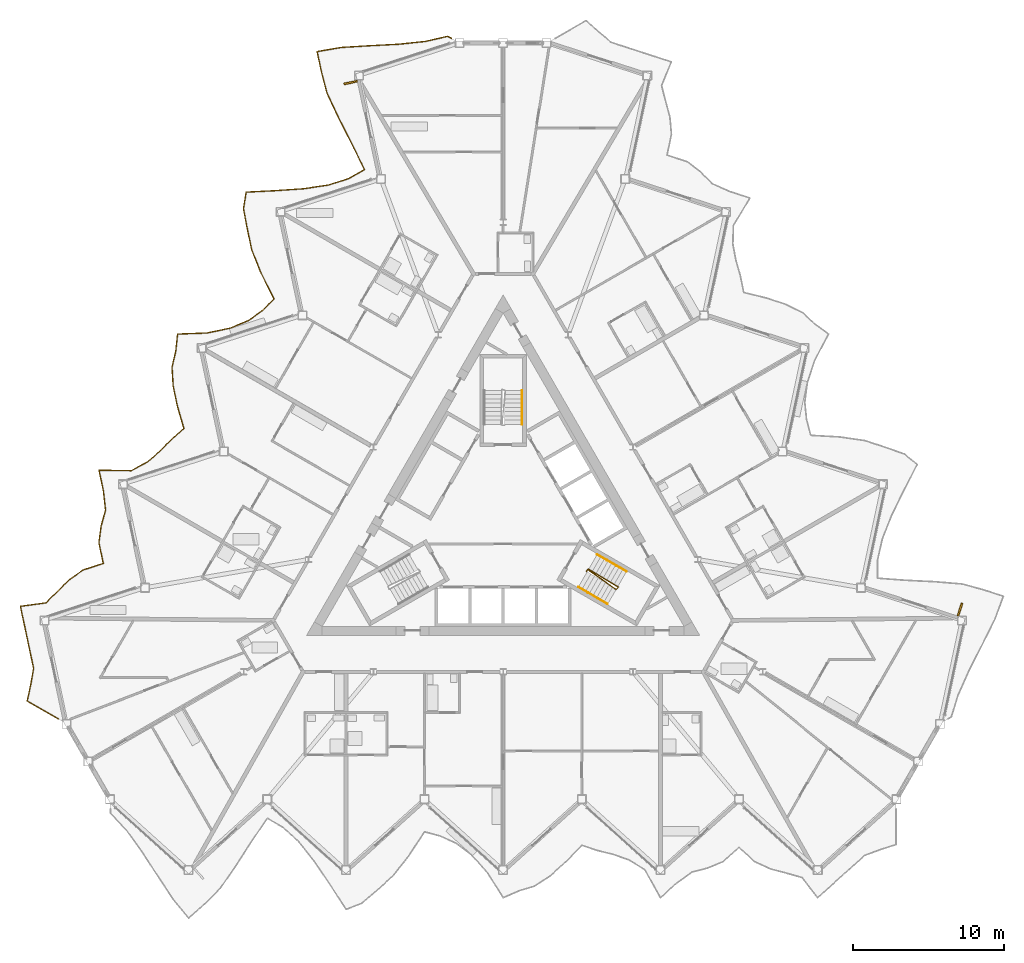
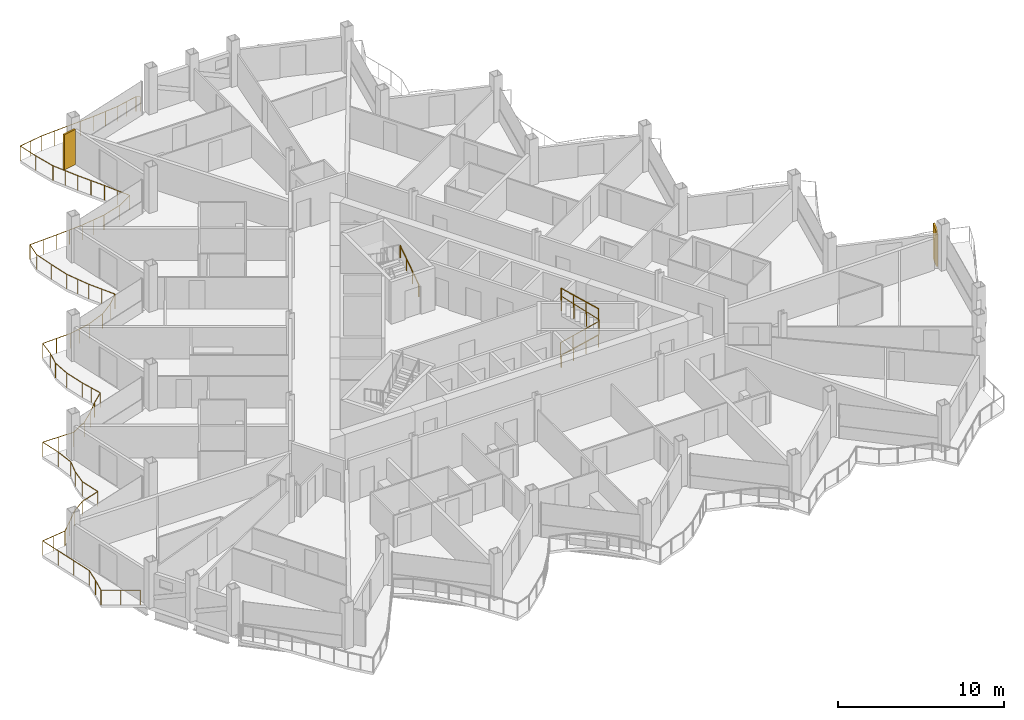
# One storey, part 24 of 27: 5 railings, 2 shading devices.
"""IFC4 building model written with IfcOpenShell, lengths in metres."""

from ifc_helpers import new_model, si_unit, direction, frame, origin, origin_2d, place, context, subcontext, project, spatial, rectangle, circle, extrude, material, layer, layer_set, type_object, element, save


model = new_model("IFC4")

# Units and contexts
model_context = context("Model", 3, precision=1e-05, world=origin(), true_north=direction((0.0, 1.0)))
body_context = subcontext(model_context, "Body", "Model", "MODEL_VIEW")
ifc_project = project(units=[si_unit("LENGTHUNIT", "METRE"), si_unit("AREAUNIT", "SQUARE_METRE"), si_unit("VOLUMEUNIT", "CUBIC_METRE"), si_unit("PLANEANGLEUNIT", "RADIAN"), si_unit("MASSUNIT", "GRAM", prefix="KILO")], contexts=[model_context])

# Site, building, storey
site_placement = place(None, origin())
site = spatial("IfcSite", under=ifc_project, at=site_placement, CompositionType="ELEMENT")
building_placement = place(site_placement, origin())
building = spatial("IfcBuilding", under=site, at=building_placement, Name="Cormorant Prow Tower", CompositionType="ELEMENT")
storey_placement = place(building_placement, frame((0.0, 0.0, 335.800048828125)))
storey = spatial("IfcBuildingStorey", under=building, at=storey_placement, Name="L75", CompositionType="ELEMENT", Elevation=335.800048828125)

# Railings
ifc_material_1 = material(Name="Aluminium 6063-T6", Category="aluminium")
railing_type_1 = type_object("IfcRailingType", Name="Balcony guard 1100", PredefinedType="GUARDRAIL", material=ifc_material_1)
railing_1_placement = place(storey_placement, frame((-3.42724609375, 31.9794921875, 0.0)))
element("IfcRailing", 1, at=railing_1_placement, inside=storey, type_object=railing_type_1, Name="Balcony guard WNW", PredefinedType="GUARDRAIL", context=body_context, shape_type="SweptSolid", body=[
    extrude(circle(Radius=0.02392578125, at=origin_2d()), frame((0.0, 0.0, 1.076171875), z_axis=(-0.866065156741, 0.499931139538, 0.0), x_axis=(-0.499931139538, -0.866065156741, 0.0)), (0.0, 0.0, 1.0), 0.27001953125),
    extrude(circle(Radius=0.02392578125, at=origin_2d()), frame((-0.23388671875, 0.135009765625, 1.076171875), z_axis=(-0.974868424271, -0.22278140712, 0.0), x_axis=(0.22278140712, -0.974868424271, 0.0)), (0.0, 0.0, 1.0), 1.527587890625),
    extrude(circle(Radius=0.02392578125, at=origin_2d()), frame((-1.72314453125, -0.205322265625, 1.076171875), z_axis=(-0.994620481506, -0.103586185219, 0.0), x_axis=(0.103586185219, -0.994620481506, 0.0)), (0.0, 0.0, 1.0), 1.77001953125),
    extrude(circle(Radius=0.02392578125, at=origin_2d()), frame((-3.483642578125, -0.388671875, 1.076171875), z_axis=(-0.998630170708, -0.052323820115, 0.0), x_axis=(0.052323820115, -0.998630170708, 0.0)), (0.0, 0.0, 1.0), 1.908447265625),
    extrude(circle(Radius=0.02392578125, at=origin_2d()), frame((-5.389404296875, -0.488525390625, 1.076171875), z_axis=(-0.998168259573, -0.060498971735, 0.0), x_axis=(0.060498971735, -0.998168259573, 0.0)), (0.0, 0.0, 1.0), 1.884521484375),
    extrude(circle(Radius=0.02392578125, at=origin_2d()), frame((-7.2705078125, -0.6025390625, 1.076171875), z_axis=(-0.985824863509, -0.167777645972, 0.0), x_axis=(0.167777645972, -0.985824863509, 0.0)), (0.0, 0.0, 1.0), 1.62841796875),
    extrude(circle(Radius=0.02392578125, at=origin_2d()), frame((-8.875732421875, -0.875732421875, 1.076171875), z_axis=(0.207919304822, -0.978145982296, 0.0), x_axis=(0.978145982296, 0.207919304822, 0.0)), (0.0, 0.0, 1.0), 1.3984375),
    extrude(circle(Radius=0.02392578125, at=origin_2d()), frame((-8.5849609375, -2.24365234375, 1.076171875), z_axis=(0.255379362518, -0.966840928592, 0.0), x_axis=(0.966840928592, 0.255379362518, 0.0)), (0.0, 0.0, 1.0), 1.464599609375),
    extrude(circle(Radius=0.02392578125, at=origin_2d()), frame((-8.2109375, -3.65966796875, 1.076171875), z_axis=(0.426416101048, -0.904527118868, 0.0), x_axis=(0.904527118868, 0.426416101048, 0.0)), (0.0, 0.0, 1.0), 1.822998046875),
    extrude(circle(Radius=0.02392578125, at=origin_2d()), frame((-7.43359375, -5.30859375, 1.076171875), z_axis=(0.457212869892, -0.889357291309, 0.0), x_axis=(0.889357291309, 0.457212869892, 0.0)), (0.0, 0.0, 1.0), 1.91845703125),
    extrude(circle(Radius=0.02392578125, at=origin_2d()), frame((-6.556396484375, -7.014892578125, 1.076171875), z_axis=(0.435129408634, -0.900367923541, 0.0), x_axis=(0.900367923541, 0.435129408634, 0.0)), (0.0, 0.0, 1.0), 1.8486328125),
    extrude(circle(Radius=0.02392578125, at=origin_2d()), frame((-5.751953125, -8.679443359375, 1.076171875), z_axis=(-0.866195743587, -0.499704846676, 0.0), x_axis=(0.499704846676, -0.866195743587, 0.0)), (0.0, 0.0, 1.0), 1.200439453125),
    extrude(circle(Radius=0.02392578125, at=origin_2d()), frame((-6.791748046875, -9.279296875, 1.076171875), z_axis=(-0.954556801538, -0.298029046634, 0.0), x_axis=(0.298029046634, -0.954556801538, 0.0)), (0.0, 0.0, 1.0), 1.4130859375),
    extrude(circle(Radius=0.02392578125, at=origin_2d()), frame((-8.140625, -9.700439453125, 1.076171875), z_axis=(-0.989114626133, -0.147147056953, 0.0), x_axis=(0.147147056953, -0.989114626133, 0.0)), (0.0, 0.0, 1.0), 1.670654296875),
    extrude(circle(Radius=0.02392578125, at=origin_2d()), frame((-9.793212890625, -9.9462890625, 1.076171875), z_axis=(-0.997734486787, -0.067274764031, 0.0), x_axis=(0.067274764031, -0.997734486787, 0.0)), (0.0, 0.0, 1.0), 1.865234375),
    extrude(circle(Radius=0.02392578125, at=origin_2d()), frame((-11.654296875, -10.07177734375, 1.076171875), z_axis=(-0.998764384953, -0.049696109994, 0.0), x_axis=(0.049696109994, -0.998764384953, 0.0)), (0.0, 0.0, 1.0), 1.916015625),
    extrude(circle(Radius=0.02392578125, at=origin_2d()), frame((-13.56787109375, -10.1669921875, 1.076171875), z_axis=(-0.155895016823, -0.987773629801, 0.0), x_axis=(0.987773629801, -0.155895016823, 0.0)), (0.0, 0.0, 1.0), 1.113525390625),
    extrude(circle(Radius=0.02392578125, at=origin_2d()), frame((-13.741455078125, -11.266845703125, 1.076171875), z_axis=(0.183437336105, -0.983031405258, 0.0), x_axis=(0.983031405258, 0.183437336105, 0.0)), (0.0, 0.0, 1.0), 1.3681640625),
    extrude(circle(Radius=0.02392578125, at=origin_2d()), frame((-13.490478515625, -12.61181640625, 1.076171875), z_axis=(0.207919304822, -0.978145982296, 0.0), x_axis=(0.978145982296, 0.207919304822, 0.0)), (0.0, 0.0, 1.0), 1.3984375),
    extrude(circle(Radius=0.02392578125, at=origin_2d()), frame((-13.19970703125, -13.979736328125, 1.076171875), z_axis=(0.371265406287, -0.92852678911, 0.0), x_axis=(0.92852678911, 0.371265406287, 0.0)), (0.0, 0.0, 1.0), 1.68017578125),
    extrude(circle(Radius=0.02392578125, at=origin_2d()), frame((-12.575927734375, -15.539794921875, 1.076171875), z_axis=(0.450249587952, -0.892902743051, 0.0), x_axis=(0.892902743051, 0.450249587952, 0.0)), (0.0, 0.0, 1.0), 1.896240234375),
    extrude(circle(Radius=0.02392578125, at=origin_2d()), frame((-11.72216796875, -17.23291015625, 1.076171875), z_axis=(-0.708692470363, -0.705517528096, 0.0), x_axis=(0.705517528096, -0.708692470363, 0.0)), (0.0, 0.0, 1.0), 1.07666015625),
    extrude(circle(Radius=0.02392578125, at=origin_2d()), frame((-12.485107421875, -17.992431640625, 1.076171875), z_axis=(-0.812139024298, -0.583463970792, 0.0), x_axis=(0.583463970792, -0.812139024298, 0.0)), (0.0, 0.0, 1.0), 1.14013671875),
    extrude(circle(Radius=0.02392578125, at=origin_2d()), frame((-13.4111328125, -18.65771484375, 1.076171875), z_axis=(-0.923132133138, -0.384482853673, 0.0), x_axis=(0.384482853673, -0.923132133138, 0.0)), (0.0, 0.0, 1.0), 1.30810546875),
    extrude(circle(Radius=0.02392578125, at=origin_2d()), frame((-14.61865234375, -19.16064453125, 1.076171875), z_axis=(-0.978781858158, -0.204905036887, 0.0), x_axis=(0.204905036887, -0.978781858158, 0.0)), (0.0, 0.0, 1.0), 1.558349609375),
    extrude(circle(Radius=0.02392578125, at=origin_2d()), frame((-16.14404296875, -19.47998046875, 1.076171875), z_axis=(-0.999335867449, -0.036439319842, 0.0), x_axis=(0.036439319842, -0.999335867449, 0.0)), (0.0, 0.0, 1.0), 1.956298828125),
    extrude(circle(Radius=0.02392578125, at=origin_2d()), frame((-18.09912109375, -19.55126953125, 1.076171875), z_axis=(-0.1069882502, -0.994260284995, 0.0), x_axis=(0.994260284995, -0.1069882502, 0.0)), (0.0, 0.0, 1.0), 1.136474609375),
    extrude(circle(Radius=0.02392578125, at=origin_2d()), frame((-18.220703125, -20.68115234375, 1.076171875), z_axis=(-0.226796152694, -0.973942249378, 0.0), x_axis=(0.973942249378, -0.226796152694, 0.0)), (0.0, 0.0, 1.0), 1.086181640625),
    extrude(circle(Radius=0.02392578125, at=origin_2d()), frame((-18.467041015625, -21.739013671875, 1.076171875), z_axis=(0.057156067172, -0.998365255798, 0.0), x_axis=(0.998365255798, 0.057156067172, 0.0)), (0.0, 0.0, 1.0), 1.242919921875),
    extrude(circle(Radius=0.02392578125, at=origin_2d()), frame((-18.39599609375, -22.97998046875, 1.076171875), z_axis=(0.207919304822, -0.978145982296, 0.0), x_axis=(0.978145982296, 0.207919304822, 0.0)), (0.0, 0.0, 1.0), 1.3984375),
    extrude(circle(Radius=0.02392578125, at=origin_2d()), frame((-18.105224609375, -24.347900390625, 1.076171875), z_axis=(0.279887718113, -0.960032741759, 0.0), x_axis=(0.960032741759, 0.279887718113, 0.0)), (0.0, 0.0, 1.0), 1.5029296875),
    extrude(circle(Radius=0.02392578125, at=origin_2d()), frame((-17.6845703125, -25.790771484375, 1.076171875), z_axis=(-0.750435231758, -0.660943993797, 0.0), x_axis=(0.660943993797, -0.750435231758, 0.0)), (0.0, 0.0, 1.0), 1.0966796875),
    extrude(circle(Radius=0.02392578125, at=origin_2d()), frame((-18.507568359375, -26.515625, 1.076171875), z_axis=(-0.693992104373, -0.719982610253, 0.0), x_axis=(0.719982610253, -0.693992104373, 0.0)), (0.0, 0.0, 1.0), 1.07080078125),
    extrude(circle(Radius=0.02392578125, at=origin_2d()), frame((-19.250732421875, -27.28662109375, 1.076171875), z_axis=(-0.758614643675, -0.651539578539, 0.0), x_axis=(0.651539578539, -0.758614643675, 0.0)), (0.0, 0.0, 1.0), 1.101318359375),
    extrude(circle(Radius=0.02392578125, at=origin_2d()), frame((-20.086181640625, -28.004150390625, 1.076171875), z_axis=(-0.879686155667, -0.475554694569, 0.0), x_axis=(0.475554694569, -0.879686155667, 0.0)), (0.0, 0.0, 1.0), 1.22021484375),
    extrude(circle(Radius=0.02392578125, at=origin_2d()), frame((-21.15966796875, -28.58447265625, 1.076171875), z_axis=(-0.999880946428, 0.015430261519, 0.0), x_axis=(-0.015430261519, -0.999880946428, 0.0)), (0.0, 0.0, 1.0), 2.135986328125),
    extrude(circle(Radius=0.02392578125, at=origin_2d()), frame((-23.29541015625, -28.551513671875, 1.076171875), z_axis=(0.207954815096, -0.978138433392, 0.0), x_axis=(0.978138433392, 0.207954815096, 0.0)), (0.0, 0.0, 1.0), 1.398193359375),
    extrude(circle(Radius=0.02392578125, at=origin_2d()), frame((-23.004638671875, -29.919189453125, 1.076171875), z_axis=(0.108747067924, -0.994069451909, 0.0), x_axis=(0.994069451909, 0.108747067924, 0.0)), (0.0, 0.0, 1.0), 1.28857421875),
    extrude(circle(Radius=0.02392578125, at=origin_2d()), frame((-22.864501953125, -31.2001953125, 1.076171875), z_axis=(-0.267925383794, -0.963439665324, 0.0), x_axis=(0.963439665324, -0.267925383794, 0.0)), (0.0, 0.0, 1.0), 1.073486328125),
    extrude(circle(Radius=0.02392578125, at=origin_2d()), frame((-23.152099609375, -32.234375, 1.076171875), z_axis=(-0.132989234618, -0.991117482176, 0.0), x_axis=(0.991117482176, -0.132989234618, 0.0)), (0.0, 0.0, 1.0), 1.12353515625),
    extrude(circle(Radius=0.02392578125, at=origin_2d()), frame((-23.301513671875, -33.347900390625, 1.076171875), z_axis=(0.207919304822, -0.978145982296, 0.0), x_axis=(0.978145982296, 0.207919304822, 0.0)), (0.0, 0.0, 1.0), 1.3984375),
    extrude(circle(Radius=0.02392578125, at=origin_2d()), frame((-23.0107421875, -34.7158203125, 1.076171875), z_axis=(-0.951013541542, -0.309149225784, 0.0), x_axis=(0.309149225784, -0.951013541542, 0.0)), (0.0, 0.0, 1.0), 1.398681640625),
    extrude(circle(Radius=0.02392578125, at=origin_2d()), frame((-24.3408203125, -35.148193359375, 1.076171875), z_axis=(-0.817746960068, -0.575577891601, 0.0), x_axis=(0.575577891601, -0.817746960068, 0.0)), (0.0, 0.0, 1.0), 1.145263671875),
    extrude(circle(Radius=0.02392578125, at=origin_2d()), frame((-25.27734375, -35.807373046875, 1.076171875), z_axis=(-0.704603771786, -0.709600961657, 0.0), x_axis=(0.709600961657, -0.704603771786, 0.0)), (0.0, 0.0, 1.0), 1.07470703125),
    extrude(circle(Radius=0.02392578125, at=origin_2d()), frame((-26.03466796875, -36.570068359375, 1.076171875), z_axis=(-0.716759517386, -0.697320438706, 0.0), x_axis=(0.697320438706, -0.716759517386, 0.0)), (0.0, 0.0, 1.0), 1.080078125),
    extrude(circle(Radius=0.02392578125, at=origin_2d()), frame((-26.808837890625, -37.3232421875, 1.076171875), z_axis=(-0.990906116671, -0.134555074018, 0.0), x_axis=(0.134555074018, -0.990906116671, 0.0)), (0.0, 0.0, 1.0), 1.6982421875),
    extrude(circle(Radius=0.02392578125, at=origin_2d()), frame((-28.49169921875, -37.5517578125, 1.076171875), z_axis=(0.207954815096, -0.978138433392, 0.0), x_axis=(0.978138433392, 0.207954815096, 0.0)), (0.0, 0.0, 1.0), 1.398193359375),
    extrude(circle(Radius=0.02392578125, at=origin_2d()), frame((-28.200927734375, -38.91943359375, 1.076171875), z_axis=(0.207919304822, -0.978145982296, 0.0), x_axis=(0.978145982296, 0.207919304822, 0.0)), (0.0, 0.0, 1.0), 1.3984375),
    extrude(circle(Radius=0.02392578125, at=origin_2d()), frame((-27.91015625, -40.287353515625, 1.076171875), z_axis=(0.207919304822, -0.978145982296, 0.0), x_axis=(0.978145982296, 0.207919304822, 0.0)), (0.0, 0.0, 1.0), 1.3984375),
    extrude(circle(Radius=0.02392578125, at=origin_2d()), frame((-27.619384765625, -41.6552734375, 1.076171875), z_axis=(-0.172048589845, -0.98508846442, 0.0), x_axis=(0.98508846442, -0.172048589845, 0.0)), (0.0, 0.0, 1.0), 1.10693359375),
    extrude(circle(Radius=0.02392578125, at=origin_2d()), frame((-27.809814453125, -42.74560546875, 1.076171875), z_axis=(-0.210460713623, -0.977602315884, 0.0), x_axis=(0.977602315884, -0.210460713623, 0.0)), (0.0, 0.0, 1.0), 1.091552734375),
    extrude(circle(Radius=0.02392578125, at=origin_2d()), frame((-28.03955078125, -43.812744140625, 1.076171875), z_axis=(0.866028196007, -0.499995163697, 0.0), x_axis=(0.499995163697, 0.866028196007, 0.0)), (0.0, 0.0, 1.0), 2.37646484375),
    extrude(circle(Radius=0.02099609375, at=origin_2d()), origin(), (0.0, 0.0, 1.0), 1.052001953125),
    extrude(circle(Radius=0.02099609375, at=origin_2d()), frame((-0.23388671875, 0.135009765625, 0.0)), (0.0, 0.0, 1.0), 1.052001953125),
    extrude(circle(Radius=0.02099609375, at=origin_2d()), frame((-0.978515625, -0.03515625, 0.0)), (0.0, 0.0, 1.0), 1.052001953125),
    extrude(circle(Radius=0.02099609375, at=origin_2d()), frame((-1.72314453125, -0.205322265625, 0.0)), (0.0, 0.0, 1.0), 1.052001953125),
    extrude(circle(Radius=0.02099609375, at=origin_2d()), frame((-2.603515625, -0.296875, 0.0)), (0.0, 0.0, 1.0), 1.052001953125),
    extrude(circle(Radius=0.02099609375, at=origin_2d()), frame((-3.483642578125, -0.388671875, 0.0)), (0.0, 0.0, 1.0), 1.052001953125),
    extrude(circle(Radius=0.02099609375, at=origin_2d()), frame((-4.4365234375, -0.4384765625, 0.0)), (0.0, 0.0, 1.0), 1.052001953125),
    extrude(circle(Radius=0.02099609375, at=origin_2d()), frame((-5.389404296875, -0.488525390625, 0.0)), (0.0, 0.0, 1.0), 1.052001953125),
    extrude(circle(Radius=0.02099609375, at=origin_2d()), frame((-6.330078125, -0.54541015625, 0.0)), (0.0, 0.0, 1.0), 1.052001953125),
    extrude(circle(Radius=0.02099609375, at=origin_2d()), frame((-7.2705078125, -0.6025390625, 0.0)), (0.0, 0.0, 1.0), 1.052001953125),
    extrude(circle(Radius=0.02099609375, at=origin_2d()), frame((-8.0732421875, -0.7392578125, 0.0)), (0.0, 0.0, 1.0), 1.052001953125),
    extrude(circle(Radius=0.02099609375, at=origin_2d()), frame((-8.875732421875, -0.875732421875, 0.0)), (0.0, 0.0, 1.0), 1.052001953125),
    extrude(circle(Radius=0.02099609375, at=origin_2d()), frame((-8.5849609375, -2.24365234375, 0.0)), (0.0, 0.0, 1.0), 1.052001953125),
    extrude(circle(Radius=0.02099609375, at=origin_2d()), frame((-8.2109375, -3.65966796875, 0.0)), (0.0, 0.0, 1.0), 1.052001953125),
    extrude(circle(Radius=0.02099609375, at=origin_2d()), frame((-7.822265625, -4.484130859375, 0.0)), (0.0, 0.0, 1.0), 1.052001953125),
    extrude(circle(Radius=0.02099609375, at=origin_2d()), frame((-7.43359375, -5.30859375, 0.0)), (0.0, 0.0, 1.0), 1.052001953125),
    extrude(circle(Radius=0.02099609375, at=origin_2d()), frame((-6.9951171875, -6.16162109375, 0.0)), (0.0, 0.0, 1.0), 1.052001953125),
    extrude(circle(Radius=0.02099609375, at=origin_2d()), frame((-6.556396484375, -7.014892578125, 0.0)), (0.0, 0.0, 1.0), 1.052001953125),
    extrude(circle(Radius=0.02099609375, at=origin_2d()), frame((-6.154296875, -7.84716796875, 0.0)), (0.0, 0.0, 1.0), 1.052001953125),
    extrude(circle(Radius=0.02099609375, at=origin_2d()), frame((-5.751953125, -8.679443359375, 0.0)), (0.0, 0.0, 1.0), 1.052001953125),
    extrude(circle(Radius=0.02099609375, at=origin_2d()), frame((-6.791748046875, -9.279296875, 0.0)), (0.0, 0.0, 1.0), 1.052001953125),
    extrude(circle(Radius=0.02099609375, at=origin_2d()), frame((-8.140625, -9.700439453125, 0.0)), (0.0, 0.0, 1.0), 1.052001953125),
    extrude(circle(Radius=0.02099609375, at=origin_2d()), frame((-8.966796875, -9.8232421875, 0.0)), (0.0, 0.0, 1.0), 1.052001953125),
    extrude(circle(Radius=0.02099609375, at=origin_2d()), frame((-9.793212890625, -9.9462890625, 0.0)), (0.0, 0.0, 1.0), 1.052001953125),
    extrude(circle(Radius=0.02099609375, at=origin_2d()), frame((-10.7236328125, -10.009033203125, 0.0)), (0.0, 0.0, 1.0), 1.052001953125),
    extrude(circle(Radius=0.02099609375, at=origin_2d()), frame((-11.654296875, -10.07177734375, 0.0)), (0.0, 0.0, 1.0), 1.052001953125),
    extrude(circle(Radius=0.02099609375, at=origin_2d()), frame((-12.611083984375, -10.119384765625, 0.0)), (0.0, 0.0, 1.0), 1.052001953125),
    extrude(circle(Radius=0.02099609375, at=origin_2d()), frame((-13.56787109375, -10.1669921875, 0.0)), (0.0, 0.0, 1.0), 1.052001953125),
    extrude(circle(Radius=0.02099609375, at=origin_2d()), frame((-13.741455078125, -11.266845703125, 0.0)), (0.0, 0.0, 1.0), 1.052001953125),
    extrude(circle(Radius=0.02099609375, at=origin_2d()), frame((-13.490478515625, -12.61181640625, 0.0)), (0.0, 0.0, 1.0), 1.052001953125),
    extrude(circle(Radius=0.02099609375, at=origin_2d()), frame((-13.19970703125, -13.979736328125, 0.0)), (0.0, 0.0, 1.0), 1.052001953125),
    extrude(circle(Radius=0.02099609375, at=origin_2d()), frame((-12.8876953125, -14.759765625, 0.0)), (0.0, 0.0, 1.0), 1.052001953125),
    extrude(circle(Radius=0.02099609375, at=origin_2d()), frame((-12.575927734375, -15.539794921875, 0.0)), (0.0, 0.0, 1.0), 1.052001953125),
    extrude(circle(Radius=0.02099609375, at=origin_2d()), frame((-12.14892578125, -16.38623046875, 0.0)), (0.0, 0.0, 1.0), 1.052001953125),
    extrude(circle(Radius=0.02099609375, at=origin_2d()), frame((-11.72216796875, -17.23291015625, 0.0)), (0.0, 0.0, 1.0), 1.052001953125),
    extrude(circle(Radius=0.02099609375, at=origin_2d()), frame((-12.485107421875, -17.992431640625, 0.0)), (0.0, 0.0, 1.0), 1.052001953125),
    extrude(circle(Radius=0.02099609375, at=origin_2d()), frame((-13.4111328125, -18.65771484375, 0.0)), (0.0, 0.0, 1.0), 1.052001953125),
    extrude(circle(Radius=0.02099609375, at=origin_2d()), frame((-14.61865234375, -19.16064453125, 0.0)), (0.0, 0.0, 1.0), 1.052001953125),
    extrude(circle(Radius=0.02099609375, at=origin_2d()), frame((-15.38134765625, -19.3203125, 0.0)), (0.0, 0.0, 1.0), 1.052001953125),
    extrude(circle(Radius=0.02099609375, at=origin_2d()), frame((-16.14404296875, -19.47998046875, 0.0)), (0.0, 0.0, 1.0), 1.052001953125),
    extrude(circle(Radius=0.02099609375, at=origin_2d()), frame((-17.12158203125, -19.515625, 0.0)), (0.0, 0.0, 1.0), 1.052001953125),
    extrude(circle(Radius=0.02099609375, at=origin_2d()), frame((-18.09912109375, -19.55126953125, 0.0)), (0.0, 0.0, 1.0), 1.052001953125),
    extrude(circle(Radius=0.02099609375, at=origin_2d()), frame((-18.220703125, -20.68115234375, 0.0)), (0.0, 0.0, 1.0), 1.052001953125),
    extrude(circle(Radius=0.02099609375, at=origin_2d()), frame((-18.467041015625, -21.739013671875, 0.0)), (0.0, 0.0, 1.0), 1.052001953125),
    extrude(circle(Radius=0.02099609375, at=origin_2d()), frame((-18.39599609375, -22.97998046875, 0.0)), (0.0, 0.0, 1.0), 1.052001953125),
    extrude(circle(Radius=0.02099609375, at=origin_2d()), frame((-18.105224609375, -24.347900390625, 0.0)), (0.0, 0.0, 1.0), 1.052001953125),
    extrude(circle(Radius=0.02099609375, at=origin_2d()), frame((-17.89501953125, -25.0693359375, 0.0)), (0.0, 0.0, 1.0), 1.052001953125),
    extrude(circle(Radius=0.02099609375, at=origin_2d()), frame((-17.6845703125, -25.790771484375, 0.0)), (0.0, 0.0, 1.0), 1.052001953125),
    extrude(circle(Radius=0.02099609375, at=origin_2d()), frame((-18.507568359375, -26.515625, 0.0)), (0.0, 0.0, 1.0), 1.052001953125),
    extrude(circle(Radius=0.02099609375, at=origin_2d()), frame((-19.250732421875, -27.28662109375, 0.0)), (0.0, 0.0, 1.0), 1.052001953125),
    extrude(circle(Radius=0.02099609375, at=origin_2d()), frame((-20.086181640625, -28.004150390625, 0.0)), (0.0, 0.0, 1.0), 1.052001953125),
    extrude(circle(Radius=0.02099609375, at=origin_2d()), frame((-21.15966796875, -28.58447265625, 0.0)), (0.0, 0.0, 1.0), 1.052001953125),
    extrude(circle(Radius=0.02099609375, at=origin_2d()), frame((-22.2275390625, -28.56787109375, 0.0)), (0.0, 0.0, 1.0), 1.052001953125),
    extrude(circle(Radius=0.02099609375, at=origin_2d()), frame((-23.29541015625, -28.551513671875, 0.0)), (0.0, 0.0, 1.0), 1.052001953125),
    extrude(circle(Radius=0.02099609375, at=origin_2d()), frame((-23.004638671875, -29.919189453125, 0.0)), (0.0, 0.0, 1.0), 1.052001953125),
    extrude(circle(Radius=0.02099609375, at=origin_2d()), frame((-22.864501953125, -31.2001953125, 0.0)), (0.0, 0.0, 1.0), 1.052001953125),
    extrude(circle(Radius=0.02099609375, at=origin_2d()), frame((-23.152099609375, -32.234375, 0.0)), (0.0, 0.0, 1.0), 1.052001953125),
    extrude(circle(Radius=0.02099609375, at=origin_2d()), frame((-23.301513671875, -33.347900390625, 0.0)), (0.0, 0.0, 1.0), 1.052001953125),
    extrude(circle(Radius=0.02099609375, at=origin_2d()), frame((-23.0107421875, -34.7158203125, 0.0)), (0.0, 0.0, 1.0), 1.052001953125),
    extrude(circle(Radius=0.02099609375, at=origin_2d()), frame((-24.3408203125, -35.148193359375, 0.0)), (0.0, 0.0, 1.0), 1.052001953125),
    extrude(circle(Radius=0.02099609375, at=origin_2d()), frame((-25.27734375, -35.807373046875, 0.0)), (0.0, 0.0, 1.0), 1.052001953125),
    extrude(circle(Radius=0.02099609375, at=origin_2d()), frame((-26.03466796875, -36.570068359375, 0.0)), (0.0, 0.0, 1.0), 1.052001953125),
    extrude(circle(Radius=0.02099609375, at=origin_2d()), frame((-26.808837890625, -37.3232421875, 0.0)), (0.0, 0.0, 1.0), 1.052001953125),
    extrude(circle(Radius=0.02099609375, at=origin_2d()), frame((-27.650390625, -37.4375, 0.0)), (0.0, 0.0, 1.0), 1.052001953125),
    extrude(circle(Radius=0.02099609375, at=origin_2d()), frame((-28.49169921875, -37.5517578125, 0.0)), (0.0, 0.0, 1.0), 1.052001953125),
    extrude(circle(Radius=0.02099609375, at=origin_2d()), frame((-28.200927734375, -38.91943359375, 0.0)), (0.0, 0.0, 1.0), 1.052001953125),
    extrude(circle(Radius=0.02099609375, at=origin_2d()), frame((-27.91015625, -40.287353515625, 0.0)), (0.0, 0.0, 1.0), 1.052001953125),
    extrude(circle(Radius=0.02099609375, at=origin_2d()), frame((-27.619384765625, -41.6552734375, 0.0)), (0.0, 0.0, 1.0), 1.052001953125),
    extrude(circle(Radius=0.02099609375, at=origin_2d()), frame((-27.809814453125, -42.74560546875, 0.0)), (0.0, 0.0, 1.0), 1.052001953125),
    extrude(circle(Radius=0.02099609375, at=origin_2d()), frame((-28.03955078125, -43.812744140625, 0.0)), (0.0, 0.0, 1.0), 1.052001953125),
    extrude(circle(Radius=0.02099609375, at=origin_2d()), frame((-27.010498046875, -44.40673828125, 0.0)), (0.0, 0.0, 1.0), 1.052001953125),
    extrude(circle(Radius=0.02099609375, at=origin_2d()), frame((-25.9814453125, -45.0009765625, 0.0)), (0.0, 0.0, 1.0), 1.052001953125),
])
ifc_material_2 = material(Name="Stainless steel", Category="steel")
railing_type_2 = type_object("IfcRailingType", Name="Stair guard 1100", PredefinedType="GUARDRAIL", material=ifc_material_2)
railing_2_placement = place(storey_placement, frame((5.510009765625, -3.267822265625, 0.0)))
element("IfcRailing", 2, at=railing_2_placement, inside=storey, type_object=railing_type_2, Name="L75 ST2 stair guard 1", PredefinedType="GUARDRAIL", context=body_context, shape_type="SweptSolid", body=[
    extrude(circle(Radius=0.02392578125, at=origin_2d()), frame((0.0, 0.0, 1.076171875), z_axis=(0.501036270542, 0.865426285481, 0.0), x_axis=(-0.865426285481, 0.501036270542, 0.0)), (0.0, 0.0, 1.0), 0.150146484375),
    extrude(circle(Radius=0.02392578125, at=origin_2d()), frame((0.0751953125, 0.1298828125, 1.076171875), z_axis=(0.658670593711, -0.461060875852, 0.594622500196), x_axis=(0.573455215813, 0.819236910458, 0.0)), (0.0, 0.0, 1.0), 2.85888671875),
    extrude(circle(Radius=0.02392578125, at=origin_2d()), frame((1.958251953125, -1.188232421875, 2.77587890625), z_axis=(0.695164929852, 0.718850276695, 0.0), x_axis=(-0.718850276695, 0.695164929852, 0.0)), (0.0, 0.0, 1.0), 0.2060546875),
    extrude(circle(Radius=0.02392578125, at=origin_2d()), frame((2.1015625, -1.0400390625, 2.77587890625), z_axis=(-0.686515364547, 0.416565300991, 0.595961411712), x_axis=(-0.518752825935, -0.854924268918, 0.0)), (0.0, 0.0, 1.0), 2.8525390625),
    extrude(circle(Radius=0.02099609375, at=origin_2d()), origin(), (0.0, 0.0, 1.0), 1.052001953125),
    extrude(circle(Radius=0.02099609375, at=origin_2d()), frame((0.0751953125, 0.1298828125, 0.0)), (0.0, 0.0, 1.0), 1.052001953125),
    extrude(circle(Radius=0.02099609375, at=origin_2d()), frame((0.702880859375, -0.3095703125, 0.566650390625)), (0.0, 0.0, 1.0), 1.052001953125),
    extrude(circle(Radius=0.02099609375, at=origin_2d()), frame((1.33056640625, -0.748779296875, 1.13330078125)), (0.0, 0.0, 1.0), 1.052001953125),
    extrude(circle(Radius=0.02099609375, at=origin_2d()), frame((1.958251953125, -1.188232421875, 1.699951171875)), (0.0, 0.0, 1.0), 1.052001953125),
    extrude(circle(Radius=0.02099609375, at=origin_2d()), frame((2.1015625, -1.0400390625, 1.699951171875)), (0.0, 0.0, 1.0), 1.052001953125),
    extrude(circle(Radius=0.02099609375, at=origin_2d()), frame((1.44873046875, -0.64404296875, 2.2666015625)), (0.0, 0.0, 1.0), 1.052001953125),
    extrude(circle(Radius=0.02099609375, at=origin_2d()), frame((0.796142578125, -0.247802734375, 2.833251953125)), (0.0, 0.0, 1.0), 1.052001953125),
    extrude(circle(Radius=0.02099609375, at=origin_2d()), frame((0.143310546875, 0.148193359375, 3.39990234375)), (0.0, 0.0, 1.0), 1.052001953125),
])
ifc_material_3 = material(Name="Stainless steel", Category="steel")
railing_type_3 = type_object("IfcRailingType", Name="Stair handrail 900", PredefinedType="HANDRAIL", material=ifc_material_3)
railing_3_placement = place(storey_placement, frame((4.968994140625, -4.30517578125, 0.188720703125)))
element("IfcRailing", 3, at=railing_3_placement, inside=storey, type_object=railing_type_3, Name="L75 ST2 stair handrail 1", PredefinedType="HANDRAIL", context=body_context, shape_type="SweptSolid", body=[
    extrude(circle(Radius=0.02392578125, at=origin_2d()), frame((0.0, 0.0, 0.8759765625), z_axis=(0.717869644322, -0.414548260308, 0.559296802813), x_axis=(0.500077830873, 0.865980463445, 0.0)), (0.0, 0.0, 1.0), 2.701904296875),
    extrude(circle(Radius=0.02099609375, at=origin_2d()), origin(), (0.0, 0.0, 1.0), 0.851806640625),
    extrude(circle(Radius=0.02099609375, at=origin_2d()), frame((0.646484375, -0.373291015625, 0.503662109375)), (0.0, 0.0, 1.0), 0.851806640625),
    extrude(circle(Radius=0.02099609375, at=origin_2d()), frame((1.293212890625, -0.746826171875, 1.007568359375)), (0.0, 0.0, 1.0), 0.851806640625),
    extrude(circle(Radius=0.02099609375, at=origin_2d()), frame((1.939697265625, -1.1201171875, 1.51123046875)), (0.0, 0.0, 1.0), 0.851806640625),
])
railing_4_placement = place(storey_placement, frame((8.15283203125, -3.2705078125, 1.888916015625)))
element("IfcRailing", 4, at=railing_4_placement, inside=storey, type_object=railing_type_3, Name="L75 ST2 stair handrail 2", PredefinedType="HANDRAIL", context=body_context, shape_type="SweptSolid", body=[
    extrude(circle(Radius=0.02392578125, at=origin_2d()), frame((0.0, 0.0, 0.8759765625), z_axis=(-0.717976596433, 0.414467486514, 0.559219375198), x_axis=(-0.49994888933, -0.866054910533, 0.0)), (0.0, 0.0, 1.0), 2.701904296875),
    extrude(circle(Radius=0.02099609375, at=origin_2d()), origin(), (0.0, 0.0, 1.0), 0.851806640625),
    extrude(circle(Radius=0.02099609375, at=origin_2d()), frame((-0.646728515625, 0.373291015625, 0.503662109375)), (0.0, 0.0, 1.0), 0.851806640625),
    extrude(circle(Radius=0.02099609375, at=origin_2d()), frame((-1.293212890625, 0.74658203125, 1.00732421875)), (0.0, 0.0, 1.0), 0.851806640625),
    extrude(circle(Radius=0.02099609375, at=origin_2d()), frame((-1.93994140625, 1.119873046875, 1.510986328125)), (0.0, 0.0, 1.0), 0.851806640625),
])
railing_5_placement = place(storey_placement, frame((1.243896484375, 6.455810546875, 0.188720703125)))
element("IfcRailing", 5, at=railing_5_placement, inside=storey, type_object=railing_type_3, Name="L75 ST3 stair handrail 1", PredefinedType="HANDRAIL", context=body_context, shape_type="SweptSolid", body=[
    extrude(circle(Radius=0.02392578125, at=origin_2d()), frame((0.0, 0.0, 0.8759765625), z_axis=(0.0, 0.828979582247, 0.559278868023), x_axis=(-1.0, 0.0, 0.0)), (0.0, 0.0, 1.0), 2.7021484375),
    extrude(circle(Radius=0.02099609375, at=origin_2d()), origin(), (0.0, 0.0, 1.0), 0.851806640625),
    extrude(circle(Radius=0.02099609375, at=origin_2d()), frame((0.0, 0.74658203125, 0.503662109375)), (0.0, 0.0, 1.0), 0.851806640625),
    extrude(circle(Radius=0.02099609375, at=origin_2d()), frame((0.0, 1.493408203125, 1.007568359375)), (0.0, 0.0, 1.0), 0.851806640625),
    extrude(circle(Radius=0.02099609375, at=origin_2d()), frame((0.0, 2.239990234375, 1.51123046875)), (0.0, 0.0, 1.0), 0.851806640625),
])

# Shading devices
ifc_material_4 = material(Name="Terracotta", Category="masonry")
ifc_layer = layer(ifc_material_4, 0.1201171875)
ifc_layer_set = layer_set([ifc_layer], Name="Terracotta")
shading_device_type = type_object("IfcShadingDeviceType", Name="Terracotta baguette fin 120x900x2600", PredefinedType="USERDEFINED", material=ifc_layer_set)
for number, where, z_axis, x_axis, name in (
    (6, (30.20263671875, -5.79150390625, 0.0), (0.0, 0.0, 1.0), (-0.951056512137, 0.309017007173, 0.0), "Baguette fin ENE01"),
    (7, (-10.085693359375, 29.052001953125, 0.0), (0.0, 0.0, 1.0), (0.207911700771, -0.978147598618, 0.0), "Baguette fin WNW01"),
):
    element("IfcShadingDevice", number, at=place(storey_placement, frame(where, z_axis=z_axis, x_axis=x_axis)), inside=storey, type_object=shading_device_type, Name=name, ObjectType="BAGUETTE", PredefinedType="USERDEFINED", context=body_context, shape_type="SweptSolid", body=[
        extrude(rectangle(XDim=0.1201171875, YDim=0.89990234375, at=origin_2d()), origin(), (0.0, 0.0, 1.0), 2.60009765625),
    ])

save(model, "model.ifc")
